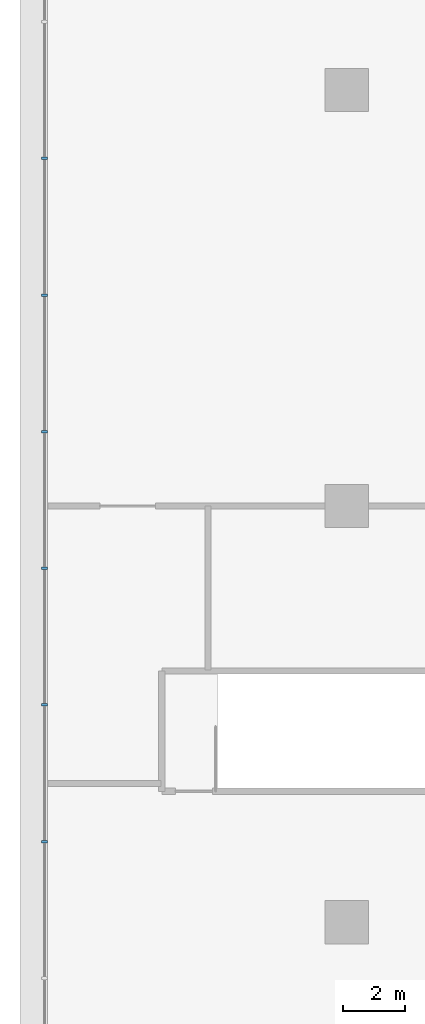
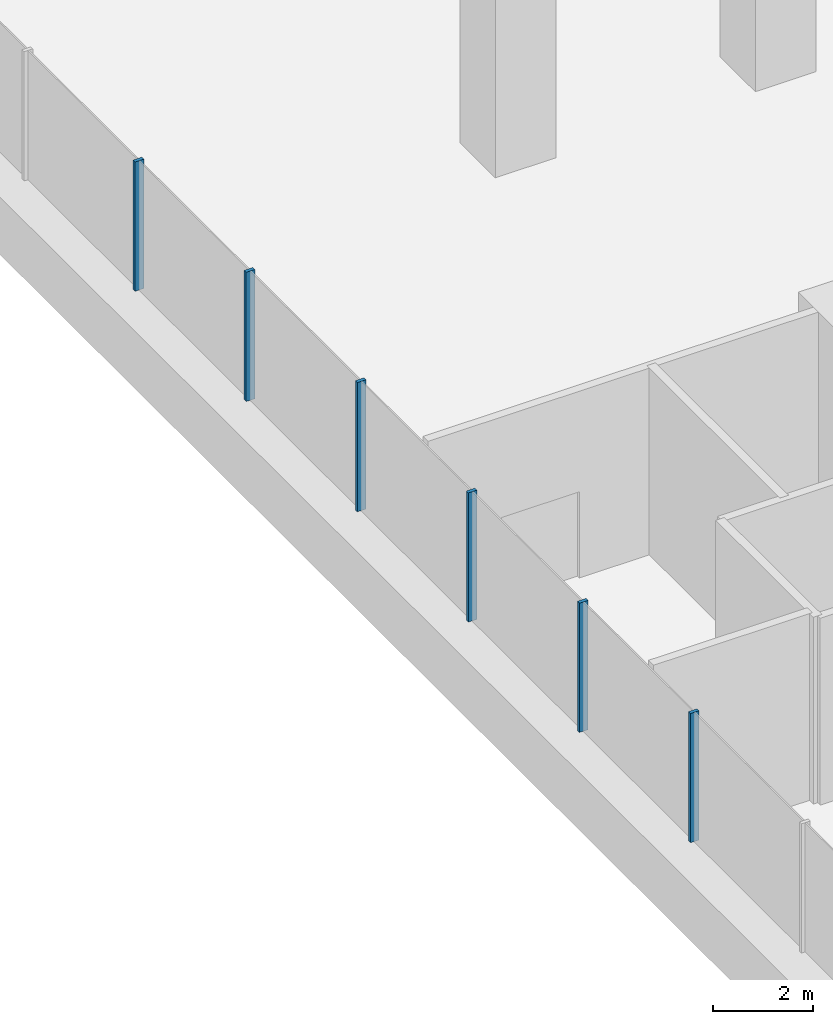
# One storey, part 4 of 38: 6 members, 1 element without a shape of its own.
"""IFC4 building model written with IfcOpenShell, lengths in metres."""

import ifcopenshell
import ifcopenshell.guid

model = None  # the IFC model being written
_history = None  # IfcOwnerHistory: only IFC2X3 demands one
_inside = {}  # id of a spatial element -> (the spatial element, [elements in it])
_under = {}  # id of a project, library or spatial element -> (it, [spatial elements below it])
_declared = {}  # id of a project -> (the project, [libraries it declares])
_typed = {}  # id of a type object -> (the type object, [elements of that type])
_made_of = {}  # id of a material, layer set ... -> (it, [elements and type objects made of it])


def new_model(schema):
    """Start an empty IFC model of exactly this schema.

    Asked for "IFC4X3", IfcOpenShell would pick the latest addendum, in which some entities
    have other attributes; the version numbers below select the first issue.
    IFC2X3 requires an IfcOwnerHistory on every rooted entity: one is made here for all.
    """
    global model, _history
    if schema == "IFC4X3":
        model = ifcopenshell.file(schema_version=(4, 3, 0, 0))
    else:
        model = ifcopenshell.file(schema=schema)
    _inside.clear()
    _under.clear()
    _declared.clear()
    _typed.clear()
    _made_of.clear()
    _history = None
    if model.schema == "IFC2X3":
        org = make("IfcOrganization", Name="unknown")
        user = make(
            "IfcPersonAndOrganization",
            ThePerson=make("IfcPerson", FamilyName="unknown"),
            TheOrganization=org,
        )
        app = make(
            "IfcApplication",
            ApplicationDeveloper=org,
            Version="unknown",
            ApplicationFullName="unknown",
            ApplicationIdentifier="unknown",
        )
        _history = make(
            "IfcOwnerHistory",
            OwningUser=user,
            OwningApplication=app,
            ChangeAction="ADDED",
            CreationDate=0,
        )
    return model


def make(cls, **values):
    """One entity of the class cls with the attributes given. An attribute that is None is left unset."""
    return model.create_entity(
        cls, **{name: value for name, value in values.items() if value is not None}
    )


def rooted(cls, **values):
    """An entity with a GlobalId (a new one), such as an element, a storey or a relation."""
    return make(cls, GlobalId=ifcopenshell.guid.new(), OwnerHistory=_history, **values)


def si_unit(unit_type, name, prefix=None):
    """IfcSIUnit, for example si_unit("LENGTHUNIT", "METRE", prefix="MILLI")."""
    return make("IfcSIUnit", UnitType=unit_type, Prefix=prefix, Name=name)


def assignment(units):
    """IfcUnitAssignment: the units of a project."""
    return None if units is None else make("IfcUnitAssignment", Units=units)


def point(xyz):
    """IfcCartesianPoint."""
    return None if xyz is None else make("IfcCartesianPoint", Coordinates=xyz)


def direction(xyz):
    """IfcDirection."""
    return None if xyz is None else make("IfcDirection", DirectionRatios=xyz)


def frame(location, z_axis=None, x_axis=None):
    """IfcAxis2Placement3D, a coordinate frame: its origin and axes. An axis left out is left unset."""
    return make(
        "IfcAxis2Placement3D",
        Location=point(location),
        Axis=direction(z_axis),
        RefDirection=direction(x_axis),
    )


def frame_2d(location, x_axis=None):
    """IfcAxis2Placement2D, a coordinate frame in the plane: its origin and x axis."""
    return make(
        "IfcAxis2Placement2D", Location=point(location), RefDirection=direction(x_axis)
    )


def origin():
    """The frame at (0, 0, 0) with its axes left unset."""
    return frame((0.0, 0.0, 0.0))


def origin_2d():
    """The frame at (0, 0) in the plane with its x axis left unset."""
    return frame_2d((0.0, 0.0))


def place(relative_to, where):
    """IfcLocalPlacement: puts the frame where relative to a parent placement (None: the world)."""
    return make(
        "IfcLocalPlacement", PlacementRelTo=relative_to, RelativePlacement=where
    )


def context(
    kind, dimensions, precision=None, world=None, true_north=None, identifier=None
):
    """IfcGeometricRepresentationContext, for example the 3D "Model" context."""
    return make(
        "IfcGeometricRepresentationContext",
        ContextIdentifier=identifier,
        ContextType=kind,
        CoordinateSpaceDimension=dimensions,
        Precision=precision,
        WorldCoordinateSystem=world,
        TrueNorth=true_north,
    )


def subcontext(parent, identifier, kind, view, scale=None):
    """IfcGeometricRepresentationSubContext, for example "Body" below "Model"."""
    return make(
        "IfcGeometricRepresentationSubContext",
        ContextIdentifier=identifier,
        ContextType=kind,
        ParentContext=parent,
        TargetScale=scale,
        TargetView=view,
    )


def project(units=None, contexts=None):
    """IfcProject with its units and contexts."""
    return rooted(
        "IfcProject",
        Name="project",
        RepresentationContexts=contexts,
        UnitsInContext=assignment(units),
    )


def spatial(cls, under=None, at=None, **own):
    """A site, building, storey or space (cls), placed at a placement, below another one or the project."""
    s = rooted(cls, ObjectPlacement=at, **own)
    if under is not None:
        _under.setdefault(under.id(), (under, []))[1].append(s)
    return s


def profile(cls, at=None, kind="AREA", **sizes):
    """A parametric profile (cls). Its sizes go by their IFC names, for example OverallWidth=200.0."""
    return make(cls, ProfileType=kind, Position=at, **sizes)


def rectangle(**sizes):
    """IfcRectangleProfileDef."""
    return profile("IfcRectangleProfileDef", **sizes)


def extrude(swept, where, along, depth):
    """IfcExtrudedAreaSolid: the profile swept, set in the frame where, extruded along a direction by depth."""
    return make(
        "IfcExtrudedAreaSolid",
        SweptArea=swept,
        Position=where,
        ExtrudedDirection=direction(along),
        Depth=depth,
    )


def shape(context_of_items, identifier, shape_type, items):
    """IfcShapeRepresentation: the items that make up one representation, for example the "Body"."""
    return make(
        "IfcShapeRepresentation",
        ContextOfItems=context_of_items,
        RepresentationIdentifier=identifier,
        RepresentationType=shape_type,
        Items=items,
    )


def material(Name=None, Category=None):
    """IfcMaterial."""
    return make("IfcMaterial", Name=Name, Category=Category)


def layer(
    of_material, thickness, ventilated=None, Name=None, Category=None, Priority=None
):
    """IfcMaterialLayer: one layer of a wall or slab, of a material (None: an air gap)."""
    return make(
        "IfcMaterialLayer",
        Material=of_material,
        LayerThickness=thickness,
        IsVentilated=ventilated,
        Name=Name,
        Category=Category,
        Priority=Priority,
    )


def layer_set(layers, Name=None):
    """IfcMaterialLayerSet."""
    return make("IfcMaterialLayerSet", MaterialLayers=layers, LayerSetName=Name)


def material_profile(
    of_material, cross_section, Name=None, Category=None, Priority=None
):
    """IfcMaterialProfile: a cross section and its material."""
    return make(
        "IfcMaterialProfile",
        Name=Name,
        Material=of_material,
        Profile=cross_section,
        Priority=Priority,
        Category=Category,
    )


def profile_set(profiles, Name=None, composite=None):
    """IfcMaterialProfileSet."""
    return make(
        "IfcMaterialProfileSet",
        Name=Name,
        MaterialProfiles=profiles,
        CompositeProfile=composite,
    )


def made_of(thing, what):
    """Note that an element or type object is made of a material, layer set ...; save() writes the relation."""
    if what is not None:
        _made_of.setdefault(what.id(), (what, []))[1].append(thing)
    return thing


def type_object(cls, material=None, **own):
    """A type object (cls), such as IfcWallType, which elements share."""
    return made_of(rooted(cls, **own), material)


def element(
    cls,
    number,
    at=None,
    inside=None,
    cuts=None,
    type_object=None,
    material=None,
    context=None,
    identifier="Body",
    shape_type=None,
    held_by="IfcProductDefinitionShape",
    body=None,
    shapes=None,
    **own,
):
    """One element of the class cls, such as IfcWall. Its Tag is "e" and its number.

    at: its placement. inside: the storey or other place that contains it. cuts: it is an
    opening in that element (IfcRelVoidsElement). A single representation is given by context,
    identifier, shape_type and body (its items); several are given by shapes. held_by: the class
    of the entity that holds the representations. save() writes the other relations.
    """
    e = rooted(cls, Tag="e%d" % number, ObjectPlacement=at, **own)
    if body is not None:
        shapes = [shape(context, identifier, shape_type, body)]
    if shapes is not None:
        e.Representation = make(held_by, Representations=shapes)
    if inside is not None:
        _inside.setdefault(inside.id(), (inside, []))[1].append(e)
    if cuts is not None:
        rooted(
            "IfcRelVoidsElement", RelatingBuildingElement=cuts, RelatedOpeningElement=e
        )
    if type_object is not None:
        _typed.setdefault(type_object.id(), (type_object, []))[1].append(e)
    return made_of(e, material)


def aggregate(whole, parts):
    """IfcRelAggregates: a whole, such as a stair, and the parts it consists of."""
    return rooted("IfcRelAggregates", RelatingObject=whole, RelatedObjects=parts)


def save(model, path):
    """Write the relations noted so far, then the file.

    IfcRelAggregates (storeys below a building ...), IfcRelContainedInSpatialStructure (elements
    in a storey), IfcRelDefinesByType, IfcRelAssociatesMaterial and IfcRelDeclares: one each for
    every whole, place, type object, material and project.
    """
    for whole, parts in _under.values():
        aggregate(whole, parts)
    for where, things in _inside.values():
        rooted(
            "IfcRelContainedInSpatialStructure",
            RelatedElements=things,
            RelatingStructure=where,
        )
    for kind, things in _typed.values():
        rooted("IfcRelDefinesByType", RelatedObjects=things, RelatingType=kind)
    for what, things in _made_of.values():
        rooted("IfcRelAssociatesMaterial", RelatedObjects=things, RelatingMaterial=what)
    for by, libraries in _declared.values():
        rooted("IfcRelDeclares", RelatingContext=by, RelatedDefinitions=libraries)
    model.write(path)


model = new_model("IFC4")

# Units and contexts
model_context = context("Model", 3, precision=1e-05, world=origin(), true_north=direction((0.0, 1.0)))
body_context = subcontext(model_context, "Body", "Model", "MODEL_VIEW")
ifc_project = project(units=[si_unit("LENGTHUNIT", "METRE"), si_unit("AREAUNIT", "SQUARE_METRE"), si_unit("VOLUMEUNIT", "CUBIC_METRE"), si_unit("PLANEANGLEUNIT", "RADIAN"), si_unit("MASSUNIT", "GRAM", prefix="KILO")], contexts=[model_context])

# Site, building, storey
site_placement = place(None, origin())
site = spatial("IfcSite", under=ifc_project, at=site_placement, CompositionType="ELEMENT")
building_placement = place(site_placement, origin())
building = spatial("IfcBuilding", under=site, at=building_placement, Name="Tamarind Cross Interchange Tower", CompositionType="ELEMENT")
storey_placement = place(building_placement, frame((0.0, 0.0, 20.0)))
storey = spatial("IfcBuildingStorey", under=building, at=storey_placement, Name="L03", CompositionType="ELEMENT", Elevation=20.0)

# Curtain wall, members
ifc_material = material(Name="Aluminium 6063-T6", Category="aluminium")
ifc_layer = layer(ifc_material, 0.199951171875)
ifc_layer_set = layer_set([ifc_layer], Name="Aluminium 6063-T6")
curtain_wall_type = type_object("IfcCurtainWallType", Name="Podium shopfront and station curtain wall", PredefinedType="NOTDEFINED", material=ifc_layer_set)
curtain_wall_placement = place(storey_placement, origin())
curtain_wall = element("IfcCurtainWall", 1, at=curtain_wall_placement, inside=storey, type_object=curtain_wall_type, Name="CWS-L03-04", PredefinedType="NOTDEFINED")
ifc_material_profile = material_profile(ifc_material, rectangle(XDim=0.080078125, YDim=0.199951171875, at=origin_2d()), Name="Mullion CW3")
ifc_profile_set = profile_set([ifc_material_profile], Name="Aluminium 6063-T6")
member_type = type_object("IfcMemberType", Name="Mullion CW3", PredefinedType="MULLION", material=ifc_profile_set)
member_1_placement = place(storey_placement, frame((-63.800048828125, -2.216796875, 1.39990234375), z_axis=(0.0, 0.0, 1.0), x_axis=(0.0, -1.0, 0.0)))
member_1 = element("IfcMember", 2, at=member_1_placement, type_object=member_type, Name="CWM-L03-04-12", PredefinedType="MULLION", context=body_context, shape_type="SweptSolid", body=[
    extrude(rectangle(XDim=0.080078125, YDim=0.199951171875, at=origin_2d()), origin(), (0.0, 0.0, 1.0), 3.150146484375),
])
member_2_placement = place(storey_placement, frame((-63.800048828125, -6.650146484375, 1.39990234375), z_axis=(0.0, 0.0, 1.0), x_axis=(0.0, -1.0, 0.0)))
member_2 = element("IfcMember", 3, at=member_2_placement, type_object=member_type, Name="CWM-L03-04-13", PredefinedType="MULLION", context=body_context, shape_type="SweptSolid", body=[
    extrude(rectangle(XDim=0.080078125, YDim=0.199951171875, at=origin_2d()), origin(), (0.0, 0.0, 1.0), 3.150146484375),
])
member_3_placement = place(storey_placement, frame((-63.800048828125, -11.08349609375, 1.39990234375), z_axis=(0.0, 0.0, 1.0), x_axis=(0.0, -1.0, 0.0)))
member_3 = element("IfcMember", 4, at=member_3_placement, type_object=member_type, Name="CWM-L03-04-14", PredefinedType="MULLION", context=body_context, shape_type="SweptSolid", body=[
    extrude(rectangle(XDim=0.080078125, YDim=0.199951171875, at=origin_2d()), origin(), (0.0, 0.0, 1.0), 3.150146484375),
])
member_4_placement = place(storey_placement, frame((-63.800048828125, -15.516845703125, 1.39990234375), z_axis=(0.0, 0.0, 1.0), x_axis=(0.0, -1.0, 0.0)))
member_4 = element("IfcMember", 5, at=member_4_placement, type_object=member_type, Name="CWM-L03-04-15", PredefinedType="MULLION", context=body_context, shape_type="SweptSolid", body=[
    extrude(rectangle(XDim=0.080078125, YDim=0.199951171875, at=origin_2d()), origin(), (0.0, 0.0, 1.0), 3.150146484375),
])
member_5_placement = place(storey_placement, frame((-63.800048828125, -19.950439453125, 1.39990234375), z_axis=(0.0, 0.0, 1.0), x_axis=(0.0, -1.0, 0.0)))
member_5 = element("IfcMember", 6, at=member_5_placement, type_object=member_type, Name="CWM-L03-04-16", PredefinedType="MULLION", context=body_context, shape_type="SweptSolid", body=[
    extrude(rectangle(XDim=0.080078125, YDim=0.199951171875, at=origin_2d()), origin(), (0.0, 0.0, 1.0), 3.150146484375),
])
member_6_placement = place(storey_placement, frame((-63.800048828125, -24.3837890625, 1.39990234375), z_axis=(0.0, 0.0, 1.0), x_axis=(0.0, -1.0, 0.0)))
member_6 = element("IfcMember", 7, at=member_6_placement, type_object=member_type, Name="CWM-L03-04-17", PredefinedType="MULLION", context=body_context, shape_type="SweptSolid", body=[
    extrude(rectangle(XDim=0.080078125, YDim=0.199951171875, at=origin_2d()), origin(), (0.0, 0.0, 1.0), 3.150146484375),
])
aggregate(curtain_wall, [member_1, member_2, member_3, member_4, member_5, member_6])

save(model, "model.ifc")
